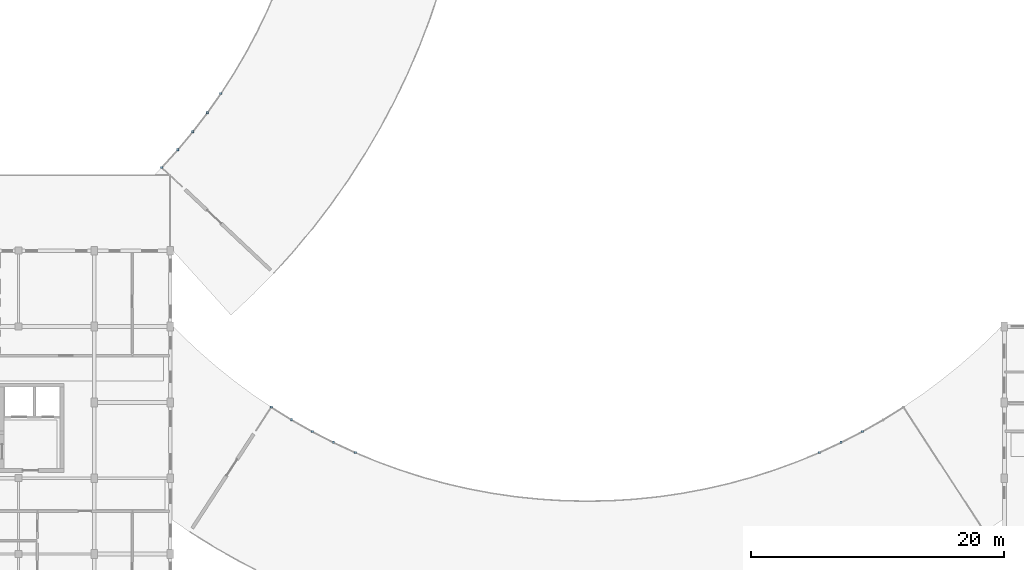
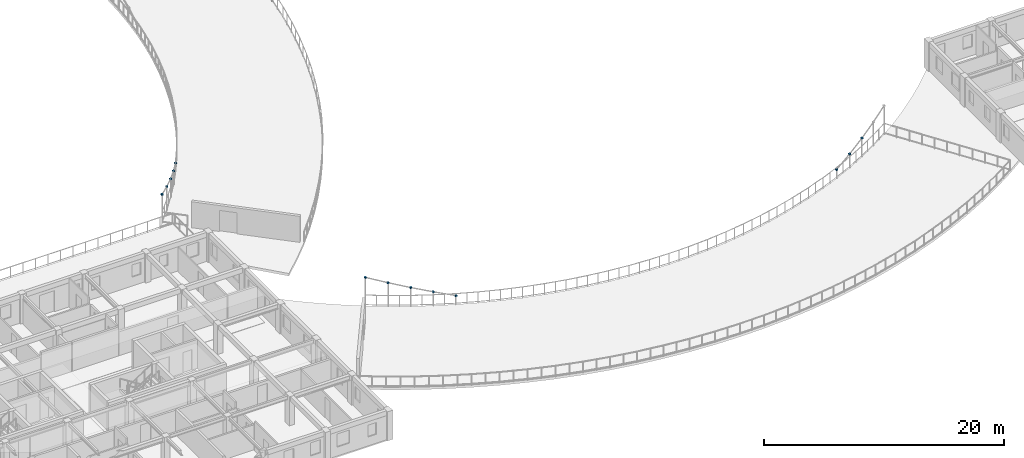
# One storey, part 45 of 58: 13 discrete accessories.
"""IFC4 building model written with IfcOpenShell, lengths in metres."""

from ifc_helpers import new_model, si_unit, direction, frame, origin, origin_2d, place, context, subcontext, project, spatial, rectangle, extrude, material, type_object, element, save


model = new_model("IFC4")

# Units and contexts
model_context = context("Model", 3, precision=1e-05, world=origin(), true_north=direction((0.0, 1.0)))
body_context = subcontext(model_context, "Body", "Model", "MODEL_VIEW")
ifc_project = project(units=[si_unit("LENGTHUNIT", "METRE"), si_unit("AREAUNIT", "SQUARE_METRE"), si_unit("VOLUMEUNIT", "CUBIC_METRE"), si_unit("PLANEANGLEUNIT", "RADIAN"), si_unit("MASSUNIT", "GRAM", prefix="KILO"), si_unit("POWERUNIT", "WATT"), si_unit("THERMODYNAMICTEMPERATUREUNIT", "KELVIN")], contexts=[model_context])

# Site, building, storey
site_placement = place(None, origin())
site = spatial("IfcSite", under=ifc_project, at=site_placement, CompositionType="ELEMENT")
building_placement = place(site_placement, origin())
building = spatial("IfcBuilding", under=site, at=building_placement, Name="Ruvembo Vaulted Housing Court", CompositionType="ELEMENT")
storey_placement = place(building_placement, frame((0.0, 0.0, 20.5)))
storey = spatial("IfcBuildingStorey", under=building, at=storey_placement, Name="L06", CompositionType="ELEMENT", Elevation=20.5)

# Discrete accessories
ifc_material = material(Name="Steel S355J2", Category="steel")
discrete_accessory_type = type_object("IfcDiscreteAccessoryType", Name="ACC-STL-NODE", PredefinedType="BRACKET", material=ifc_material)
for number, where, z_axis, x_axis, name in (
    (1, (35.32958984375, 42.5869140625, 2.830078125), (0.0, 0.0, 1.0), (1.0, 0.0, 0.0), "Scoop SC1 Crest Strut End Connector 0A"),
    (2, (36.58837890625, 43.978759765625, 2.330078125), (0.0, 0.0, 1.0), (1.0, 0.0, 0.0), "Scoop SC1 Crest Strut End Connector 1A"),
    (3, (37.789306640625, 45.4208984375, 1.830078125), (0.0, 0.0, 1.0), (1.0, 0.0, 0.0), "Scoop SC1 Crest Strut End Connector 2A"),
    (4, (38.929931640625, 46.910888671875, 1.330078125), (0.0, 0.0, 1.0), (1.0, 0.0, 0.0), "Scoop SC1 Crest Strut End Connector 3A"),
    (5, (40.0087890625, 48.446533203125, 0.830078125), (0.0, 0.0, 1.0), (1.0, 0.0, 0.0), "Scoop SC1 Crest Strut End Connector 3B"),
    (6, (43.99462890625, 23.62841796875, 2.830078125), (0.0, 0.0, 1.0), (1.0, 0.0, 0.0), "Scoop SC2 Crest Strut End Connector 0A"),
    (7, (45.598388671875, 22.6298828125, 2.330078125), (0.0, 0.0, 1.0), (1.0, 0.0, 0.0), "Scoop SC2 Crest Strut End Connector 1A"),
    (8, (47.241943359375, 21.6982421875, 1.830078125), (0.0, 0.0, 1.0), (1.0, 0.0, 0.0), "Scoop SC2 Crest Strut End Connector 2A"),
    (9, (48.922607421875, 20.835205078125, 1.330078125), (0.0, 0.0, 1.0), (1.0, 0.0, 0.0), "Scoop SC2 Crest Strut End Connector 3A"),
    (10, (50.637451171875, 20.042236328125, 0.830078125), (0.0, 0.0, 1.0), (1.0, 0.0, 0.0), "Scoop SC2 Crest Strut End Connector 3B"),
    (11, (87.362548828125, 20.042236328125, 0.830078125), (0.0, 0.0, 1.0), (1.0, 0.0, 0.0), "Scoop SC2 Crest Strut End Connector 24A"),
    (12, (89.077392578125, 20.835205078125, 1.330078125), (0.0, 0.0, 1.0), (1.0, 0.0, 0.0), "Scoop SC2 Crest Strut End Connector 25A"),
    (13, (90.758056640625, 21.6982421875, 1.830078125), (0.0, 0.0, 1.0), (1.0, 0.0, 0.0), "Scoop SC2 Crest Strut End Connector 26A"),
):
    element("IfcDiscreteAccessory", number, at=place(storey_placement, frame(where, z_axis=z_axis, x_axis=x_axis)), inside=storey, type_object=discrete_accessory_type, Name=name, PredefinedType="BRACKET", context=body_context, shape_type="SweptSolid", body=[
        extrude(rectangle(XDim=0.179931640625, YDim=0.179931640625, at=origin_2d()), origin(), (0.0, 0.0, 1.0), 0.139892578125),
    ])

save(model, "model.ifc")
